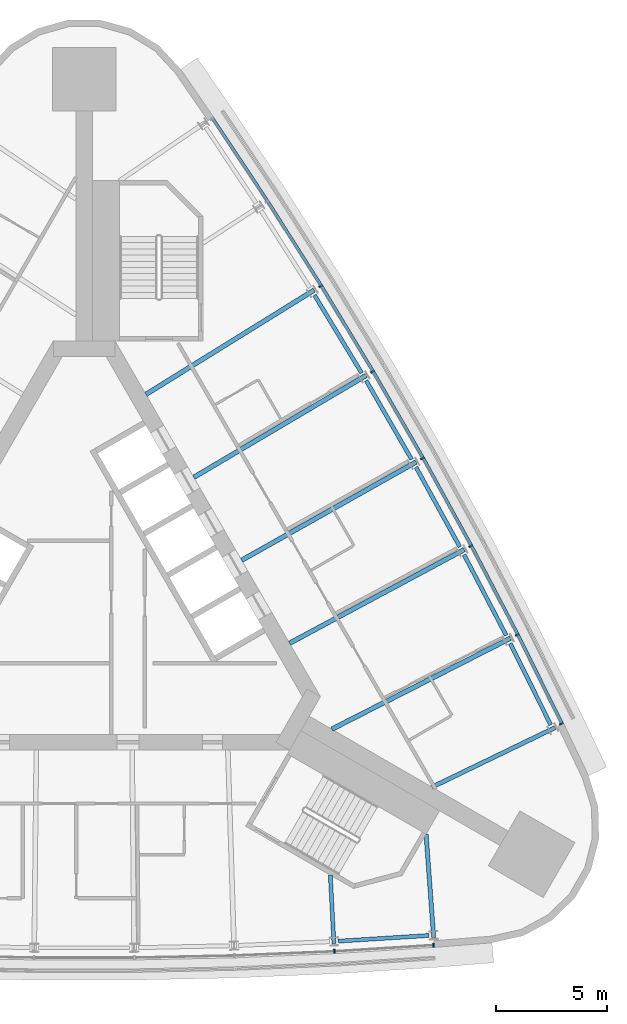
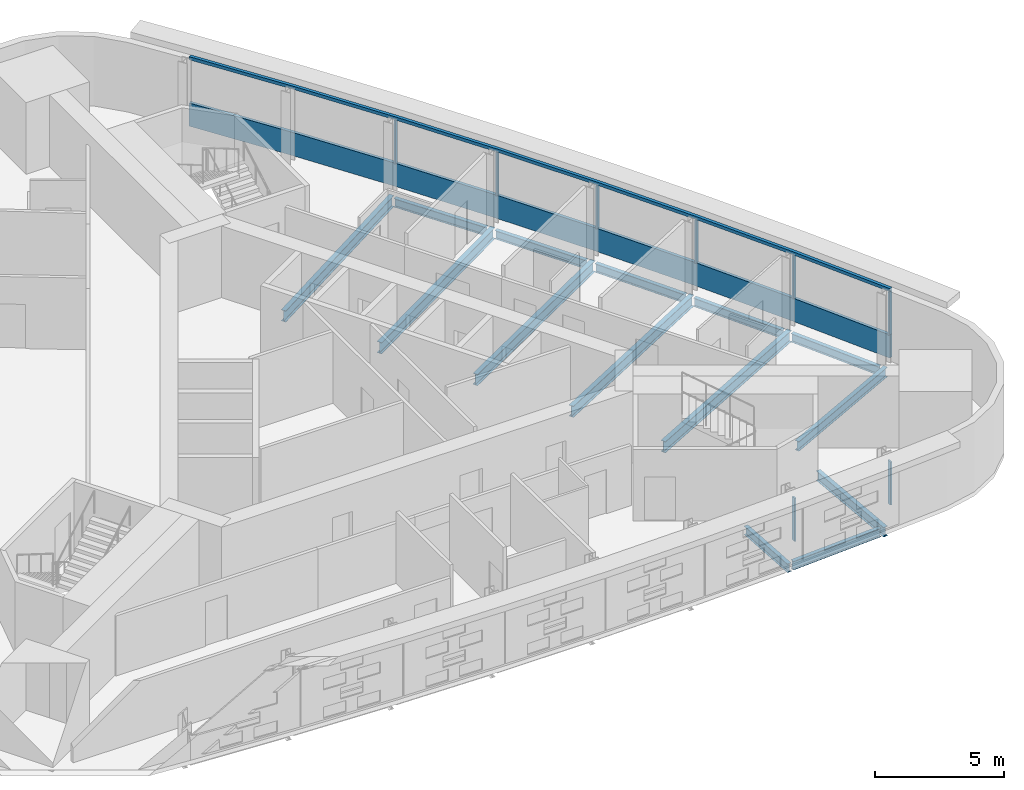
# One storey, part 5 of 12: 14 beams, 10 members, 2 elements without a shape of their own.
"""IFC4 building model written with IfcOpenShell, lengths in metres."""

from ifc_helpers import new_model, si_unit, direction, frame, origin, origin_2d, place, context, subcontext, project, spatial, polyline, rectangle, i_section, outline, extrude, material, material_profile, profile_set, type_object, element, aggregate, save


model = new_model("IFC4")

# Units and contexts
model_context = context("Model", 3, precision=1e-05, world=origin(), true_north=direction((0.0, 1.0)))
body_context = subcontext(model_context, "Body", "Model", "MODEL_VIEW")
ifc_project = project(units=[si_unit("LENGTHUNIT", "METRE"), si_unit("AREAUNIT", "SQUARE_METRE"), si_unit("VOLUMEUNIT", "CUBIC_METRE"), si_unit("PLANEANGLEUNIT", "RADIAN"), si_unit("MASSUNIT", "GRAM", prefix="KILO")], contexts=[model_context])

# Site, building, storey
site_placement = place(None, origin())
site = spatial("IfcSite", under=ifc_project, at=site_placement, CompositionType="ELEMENT")
building_placement = place(site_placement, origin())
building = spatial("IfcBuilding", under=site, at=building_placement, Name="Noor Cloister Tower", CompositionType="ELEMENT")
storey_placement = place(building_placement, frame((0.0, 0.0, 161.699951171875)))
storey = spatial("IfcBuildingStorey", under=building, at=storey_placement, Name="L41", CompositionType="ELEMENT", Elevation=161.699951171875)

# Curtain wall, member
ifc_material_1 = material(Name="Aluminium 6063-T6 anodised", Category="aluminium")
curtain_wall_type = type_object("IfcCurtainWallType", Name="Ribbon curtain wall, upper tower CW5", PredefinedType="NOTDEFINED", material=ifc_material_1)
curtain_wall_1_placement = place(storey_placement, origin())
curtain_wall_1 = element("IfcCurtainWall", 1, at=curtain_wall_1_placement, inside=storey, type_object=curtain_wall_type, Name="CW5 L41 NE run 3", PredefinedType="NOTDEFINED")
ifc_material_2 = material(Name="Aluminium 6063-T6 anodised", Category="aluminium")
member_type_1 = type_object("IfcMemberType", Name="Head transom CW5 150", PredefinedType="USERDEFINED", material=ifc_material_2)
member_1_placement = place(storey_placement, frame((0.0, 0.0, 3.150146484375)))
member_1 = element("IfcMember", 2, at=member_1_placement, type_object=member_type_1, Name="CW5 head transom", ObjectType="TRANSOM", PredefinedType="USERDEFINED", context=body_context, shape_type="SweptSolid", body=[
    extrude(outline(polyline([(21.54541015625, -5.73095703125), (19.544677734375, -1.7001953125), (17.4599609375, 2.28759765625), (15.2919921875, 6.23095703125), (13.0419921875, 10.1279296875), (10.7109375, 13.97705078125), (8.2998046875, 17.7763671875), (5.8095703125, 21.5244140625), (5.69287109375, 21.447021484375), (8.182373046875, 17.7001953125), (10.592041015625, 13.903076171875), (12.921630859375, 10.056640625), (15.170166015625, 6.162109375), (17.33642578125, 2.221435546875), (19.419921875, -1.763916015625), (21.420166015625, -5.793212890625), (21.54541015625, -5.73095703125)])), origin(), (0.0, 0.0, 1.0), 0.14990234375),
])

# Curtain wall, members
curtain_wall_2_placement = place(storey_placement, origin())
curtain_wall_2 = element("IfcCurtainWall", 3, at=curtain_wall_2_placement, inside=storey, type_object=curtain_wall_type, Name="CW5 L41 S run 2", PredefinedType="NOTDEFINED")
ifc_material_3 = material(Name="Aluminium 6063-T6 anodised", Category="aluminium")
ifc_material_profile_1 = material_profile(ifc_material_3, rectangle(XDim=0.179931640625, YDim=0.070068359375, at=origin_2d()), Name="180 x 70 mullion")
ifc_profile_set_1 = profile_set([ifc_material_profile_1], Name="Aluminium 6063-T6 anodised")
member_type_2 = type_object("IfcMemberType", Name="Mullion CW5 70 x 180", PredefinedType="MULLION", material=ifc_profile_set_1)
member_2_placement = place(storey_placement, frame((11.23974609375, -15.97607421875, 1.10009765625), z_axis=(0.0, 0.0, 1.0), x_axis=(-0.052341986805, 0.998629218688, 0.0)))
member_2 = element("IfcMember", 4, at=member_2_placement, type_object=member_type_2, Name="CW5 mullion 7", PredefinedType="MULLION", context=body_context, shape_type="SweptSolid", body=[
    extrude(rectangle(XDim=0.179931640625, YDim=0.070068359375, at=origin_2d()), origin(), (0.0, 0.0, 1.0), 2.050048828125),
])
member_3_placement = place(storey_placement, frame((15.694580078125, -15.69580078125, 1.10009765625), z_axis=(0.0, 0.0, 1.0), x_axis=(-0.062797748351, 0.998026273603, 0.0)))
member_3 = element("IfcMember", 5, at=member_3_placement, type_object=member_type_2, Name="CW5 mullion 8", PredefinedType="MULLION", context=body_context, shape_type="SweptSolid", body=[
    extrude(rectangle(XDim=0.179931640625, YDim=0.070068359375, at=origin_2d()), origin(), (0.0, 0.0, 1.0), 2.050048828125),
])
aggregate(curtain_wall_2, [member_2, member_3])

# Member
member_4_placement = place(storey_placement, frame((21.4404296875, -5.744140625, 1.10009765625), z_axis=(0.0, 0.0, 1.0), x_axis=(-0.89571498076, -0.444628691429, 0.0)))
member_4 = element("IfcMember", 6, at=member_4_placement, type_object=member_type_2, Name="CW5 mullion 1", PredefinedType="MULLION", context=body_context, shape_type="SweptSolid", body=[
    extrude(rectangle(XDim=0.179931640625, YDim=0.070068359375, at=origin_2d()), origin(), (0.0, 0.0, 1.0), 2.050048828125),
])

member_5_placement = place(storey_placement, frame((19.45556640625, -1.74560546875, 1.10009765625), z_axis=(0.0, 0.0, 1.0), x_axis=(-0.891009265748, -0.453985119086, 0.0)))
member_5 = element("IfcMember", 7, at=member_5_placement, type_object=member_type_2, Name="CW5 mullion 2", PredefinedType="MULLION", context=body_context, shape_type="SweptSolid", body=[
    extrude(rectangle(XDim=0.179931640625, YDim=0.070068359375, at=origin_2d()), origin(), (0.0, 0.0, 1.0), 2.050048828125),
])

member_6_placement = place(storey_placement, frame((17.371826171875, 2.240234375, 1.10009765625), z_axis=(0.0, 0.0, 1.0), x_axis=(-0.881305167553, -0.472547565483, 0.0)))
member_6 = element("IfcMember", 8, at=member_6_placement, type_object=member_type_2, Name="CW5 mullion 3", PredefinedType="MULLION", context=body_context, shape_type="SweptSolid", body=[
    extrude(rectangle(XDim=0.179931640625, YDim=0.070068359375, at=origin_2d()), origin(), (0.0, 0.0, 1.0), 2.050048828125),
])

member_7_placement = place(storey_placement, frame((15.204833984375, 6.181640625, 1.10009765625), z_axis=(0.0, 0.0, 1.0), x_axis=(-0.871214402304, -0.490902704432, 0.0)))
member_7 = element("IfcMember", 9, at=member_7_placement, type_object=member_type_2, Name="CW5 mullion 4", PredefinedType="MULLION", context=body_context, shape_type="SweptSolid", body=[
    extrude(rectangle(XDim=0.179931640625, YDim=0.070068359375, at=origin_2d()), origin(), (0.0, 0.0, 1.0), 2.050048828125),
])

member_8_placement = place(storey_placement, frame((12.9560546875, 10.076904296875, 1.10009765625), z_axis=(0.0, 0.0, 1.0), x_axis=(-0.860741413976, -0.509042452322, 0.0)))
member_8 = element("IfcMember", 10, at=member_8_placement, type_object=member_type_2, Name="CW5 mullion 5", PredefinedType="MULLION", context=body_context, shape_type="SweptSolid", body=[
    extrude(rectangle(XDim=0.179931640625, YDim=0.070068359375, at=origin_2d()), origin(), (0.0, 0.0, 1.0), 2.050048828125),
])

member_9_placement = place(storey_placement, frame((10.6259765625, 13.92431640625, 1.10009765625), z_axis=(0.0, 0.0, 1.0), x_axis=(-0.849890779982, -0.526958880846, 0.0)))
member_9 = element("IfcMember", 11, at=member_9_placement, type_object=member_type_2, Name="CW5 mullion 6", PredefinedType="MULLION", context=body_context, shape_type="SweptSolid", body=[
    extrude(rectangle(XDim=0.179931640625, YDim=0.070068359375, at=origin_2d()), origin(), (0.0, 0.0, 1.0), 2.050048828125),
])

# Beams
ifc_material_4 = material(Name="Steel ASTM A992 Gr 50", Category="steel")
ifc_material_profile_2 = material_profile(ifc_material_4, i_section(OverallWidth=0.177978515625, OverallDepth=0.406005859375, WebThickness=0.0078125, FlangeThickness=0.0126953125, FilletRadius=0.01025390625, at=origin_2d()), Name="W410x60")
ifc_profile_set_2 = profile_set([ifc_material_profile_2], Name="Steel ASTM A992 Gr 50")
beam_type_1 = type_object("IfcBeamType", Name="Radial beam W410x60", PredefinedType="BEAM", material=ifc_profile_set_2)
beam_1_placement = place(storey_placement, frame((11.2216796875, -15.633544921875, -0.40283203125), z_axis=(-0.052359869549, 0.998628281224, 0.0), x_axis=(-0.998628281224, -0.052359869549, 0.0)))
element("IfcBeam", 12, at=beam_1_placement, inside=storey, type_object=beam_type_1, Name="Radial beam S 07 L41", PredefinedType="BEAM", context=body_context, shape_type="SweptSolid", body=[
    extrude(i_section(OverallWidth=0.177978515625, OverallDepth=0.406005859375, WebThickness=0.0078125, FlangeThickness=0.0126953125, FilletRadius=0.01025390625, at=origin_2d()), origin(), (0.0, 0.0, 1.0), 3.09130859375),
])
ifc_material_5 = material(Name="Steel ASTM A992 Gr 50", Category="steel")
ifc_material_profile_3 = material_profile(ifc_material_5, i_section(OverallWidth=0.19091796875, OverallDepth=0.45703125, WebThickness=0.009033203125, FlangeThickness=0.014404296875, FilletRadius=0.01025390625, at=origin_2d()), Name="W460x74")
ifc_profile_set_3 = profile_set([ifc_material_profile_3], Name="Steel ASTM A992 Gr 50")
beam_type_2 = type_object("IfcBeamType", Name="Radial beam W460x74", PredefinedType="BEAM", material=ifc_profile_set_3)
beam_2_placement = place(storey_placement, frame((15.703369140625, -15.3515625, -0.428466796875), z_axis=(-0.073254033164, 0.997313314172, 0.0), x_axis=(-0.997313314172, -0.073254033164, 0.0)))
element("IfcBeam", 13, at=beam_2_placement, inside=storey, type_object=beam_type_2, Name="Radial beam S 08 L41", PredefinedType="BEAM", context=body_context, shape_type="SweptSolid", body=[
    extrude(i_section(OverallWidth=0.19091796875, OverallDepth=0.45703125, WebThickness=0.009033203125, FlangeThickness=0.014404296875, FilletRadius=0.01025390625, at=origin_2d()), origin(), (0.0, 0.0, 1.0), 4.6591796875),
])
beam_3_placement = place(storey_placement, frame((21.146728515625, -5.923828125, -0.428466796875), z_axis=(-0.900323455308, -0.435221410115, 0.0), x_axis=(0.435221410115, -0.900323455308, 0.0)))
element("IfcBeam", 14, at=beam_3_placement, inside=storey, type_object=beam_type_2, Name="Radial beam NE 01 L41", PredefinedType="BEAM", context=body_context, shape_type="SweptSolid", body=[
    extrude(i_section(OverallWidth=0.19091796875, OverallDepth=0.45703125, WebThickness=0.009033203125, FlangeThickness=0.014404296875, FilletRadius=0.01025390625, at=origin_2d()), origin(), (0.0, 0.0, 1.0), 6.1279296875),
])
ifc_material_6 = material(Name="Steel ASTM A992 Gr 50", Category="steel")
ifc_material_profile_4 = material_profile(ifc_material_6, i_section(OverallWidth=0.208984375, OverallDepth=0.532958984375, WebThickness=0.01025390625, FlangeThickness=0.015625, FilletRadius=0.0126953125, at=origin_2d()), Name="W530x92")
ifc_profile_set_4 = profile_set([ifc_material_profile_4], Name="Steel ASTM A992 Gr 50")
beam_type_3 = type_object("IfcBeamType", Name="Radial beam W530x92", PredefinedType="BEAM", material=ifc_profile_set_4)
beam_4_placement = place(storey_placement, frame((19.14990234375, -1.9013671875, -0.466552734375), z_axis=(-0.891002050303, -0.453999280127, 0.0), x_axis=(0.453999280127, -0.891002050303, 0.0)))
element("IfcBeam", 15, at=beam_4_placement, inside=storey, type_object=beam_type_3, Name="Radial beam NE 02 L41", PredefinedType="BEAM", context=body_context, shape_type="SweptSolid", body=[
    extrude(i_section(OverallWidth=0.208984375, OverallDepth=0.532958984375, WebThickness=0.01025390625, FlangeThickness=0.015625, FilletRadius=0.0126953125, at=origin_2d()), origin(), (0.0, 0.0, 1.0), 9.00634765625),
])
beam_5_placement = place(storey_placement, frame((17.069580078125, 2.078125, -0.466552734375), z_axis=(-0.881310226852, -0.472538129727, 0.0), x_axis=(0.472538129727, -0.881310226852, 0.0)))
element("IfcBeam", 16, at=beam_5_placement, inside=storey, type_object=beam_type_3, Name="Radial beam NE 03 L41", PredefinedType="BEAM", context=body_context, shape_type="SweptSolid", body=[
    extrude(i_section(OverallWidth=0.208984375, OverallDepth=0.532958984375, WebThickness=0.01025390625, FlangeThickness=0.015625, FilletRadius=0.0126953125, at=origin_2d()), origin(), (0.0, 0.0, 1.0), 8.89794921875),
])
for number, where, z_axis, x_axis, name in (
    (17, (14.906005859375, 6.013427734375, -0.466552734375), (-0.871204595241, -0.490920108808, 0.0), (0.490920108808, -0.871204595241, 0.0), "Radial beam NE 04 L41"),
    (18, (12.660888671875, 9.90234375, -0.466552734375), (-0.860751813994, -0.509024866491, 0.0), (0.509024866491, -0.860751813994, 0.0), "Radial beam NE 05 L41"),
):
    element("IfcBeam", number, at=place(storey_placement, frame(where, z_axis=z_axis, x_axis=x_axis)), inside=storey, type_object=beam_type_3, Name=name, PredefinedType="BEAM", context=body_context, shape_type="SweptSolid", body=[
        extrude(i_section(OverallWidth=0.208984375, OverallDepth=0.532958984375, WebThickness=0.01025390625, FlangeThickness=0.015625, FilletRadius=0.0126953125, at=origin_2d()), origin(), (0.0, 0.0, 1.0), 8.988037109375),
    ])
beam_6_placement = place(storey_placement, frame((10.33447265625, 13.743408203125, -0.466552734375), z_axis=(-0.849896547603, -0.526949578586, 0.0), x_axis=(0.526949578586, -0.849896547603, 0.0)))
element("IfcBeam", 19, at=beam_6_placement, inside=storey, type_object=beam_type_3, Name="Radial beam NE 06 L41", PredefinedType="BEAM", context=body_context, shape_type="SweptSolid", body=[
    extrude(i_section(OverallWidth=0.208984375, OverallDepth=0.532958984375, WebThickness=0.01025390625, FlangeThickness=0.015625, FilletRadius=0.0126953125, at=origin_2d()), origin(), (0.0, 0.0, 1.0), 8.89794921875),
])

# Member
ifc_material_7 = material(Name="Aluminium 6063-T6 anodised", Category="aluminium")
member_type_3 = type_object("IfcMemberType", Name="Sill transom CW5 1100", PredefinedType="USERDEFINED", material=ifc_material_7)
member_10_placement = place(storey_placement, origin())
member_10 = element("IfcMember", 20, at=member_10_placement, type_object=member_type_3, Name="CW5 sill transom", ObjectType="TRANSOM", PredefinedType="USERDEFINED", context=body_context, shape_type="SweptSolid", body=[
    extrude(outline(polyline([(21.54541015625, -5.73095703125), (19.544677734375, -1.7001953125), (17.4599609375, 2.28759765625), (15.2919921875, 6.23095703125), (13.0419921875, 10.1279296875), (10.7109375, 13.97705078125), (8.2998046875, 17.7763671875), (5.8095703125, 21.5244140625), (5.69287109375, 21.447021484375), (8.182373046875, 17.7001953125), (10.592041015625, 13.903076171875), (12.921630859375, 10.056640625), (15.170166015625, 6.162109375), (17.33642578125, 2.221435546875), (19.419921875, -1.763916015625), (21.420166015625, -5.793212890625), (21.54541015625, -5.73095703125)])), origin(), (0.0, 0.0, 1.0), 1.10009765625),
])

aggregate(curtain_wall_1, [member_4, member_5, member_6, member_7, member_8, member_9, member_10, member_1])

# Beams
ifc_material_8 = material(Name="Steel ASTM A992 Gr 50", Category="steel")
ifc_material_profile_5 = material_profile(ifc_material_8, i_section(OverallWidth=0.177978515625, OverallDepth=0.406005859375, WebThickness=0.0078125, FlangeThickness=0.0126953125, FilletRadius=0.01025390625, at=origin_2d()), Name="W410x60")
ifc_profile_set_5 = profile_set([ifc_material_profile_5], Name="Steel ASTM A992 Gr 50")
beam_type_4 = type_object("IfcBeamType", Name="Spandrel beam W410x60", PredefinedType="SPANDREL", material=ifc_profile_set_5)
beam_7_placement = place(storey_placement, frame((11.415283203125, -15.51416015625, -0.40283203125), z_axis=(0.998029512808, 0.06274624741, 0.0), x_axis=(-0.06274624741, 0.998029512808, 0.0)))
element("IfcBeam", 21, at=beam_7_placement, inside=storey, type_object=beam_type_4, Name="Spandrel beam S 07 L41", PredefinedType="SPANDREL", context=body_context, shape_type="SweptSolid", body=[
    extrude(i_section(OverallWidth=0.177978515625, OverallDepth=0.406005859375, WebThickness=0.0078125, FlangeThickness=0.0126953125, FilletRadius=0.01025390625, at=origin_2d()), origin(), (0.0, 0.0, 1.0), 4.08935546875),
])
beam_8_placement = place(storey_placement, frame((20.961669921875, -5.791748046875, -0.40283203125), z_axis=(-0.444632770879, 0.895712955729, 0.0), x_axis=(-0.895712955729, -0.444632770879, 0.0)))
element("IfcBeam", 22, at=beam_8_placement, inside=storey, type_object=beam_type_4, Name="Spandrel beam NE 01 L41", PredefinedType="SPANDREL", context=body_context, shape_type="SweptSolid", body=[
    extrude(i_section(OverallWidth=0.177978515625, OverallDepth=0.406005859375, WebThickness=0.0078125, FlangeThickness=0.0126953125, FilletRadius=0.01025390625, at=origin_2d()), origin(), (0.0, 0.0, 1.0), 4.089599609375),
])
beam_9_placement = place(storey_placement, frame((18.962158203125, -1.773193359375, -0.40283203125), z_axis=(-0.463284047748, 0.886209845975, 0.0), x_axis=(-0.886209845975, -0.463284047748, 0.0)))
element("IfcBeam", 23, at=beam_9_placement, inside=storey, type_object=beam_type_4, Name="Spandrel beam NE 02 L41", PredefinedType="SPANDREL", context=body_context, shape_type="SweptSolid", body=[
    extrude(i_section(OverallWidth=0.177978515625, OverallDepth=0.406005859375, WebThickness=0.0078125, FlangeThickness=0.0126953125, FilletRadius=0.01025390625, at=origin_2d()), origin(), (0.0, 0.0, 1.0), 4.08935546875),
])
beam_10_placement = place(storey_placement, frame((16.879150390625, 2.202392578125, -0.40283203125), z_axis=(-0.48176061744, 0.876302862875, 0.0), x_axis=(-0.876302862875, -0.48176061744, 0.0)))
element("IfcBeam", 24, at=beam_10_placement, inside=storey, type_object=beam_type_4, Name="Spandrel beam NE 03 L41", PredefinedType="SPANDREL", context=body_context, shape_type="SweptSolid", body=[
    extrude(i_section(OverallWidth=0.177978515625, OverallDepth=0.406005859375, WebThickness=0.0078125, FlangeThickness=0.0126953125, FilletRadius=0.01025390625, at=origin_2d()), origin(), (0.0, 0.0, 1.0), 4.089599609375),
])
beam_11_placement = place(storey_placement, frame((14.713134765625, 6.133544921875, -0.40283203125), z_axis=(-0.499998074415, 0.866026515518, 0.0), x_axis=(-0.866026515518, -0.499998074415, 0.0)))
element("IfcBeam", 25, at=beam_11_placement, inside=storey, type_object=beam_type_4, Name="Spandrel beam NE 04 L41", PredefinedType="SPANDREL", context=body_context, shape_type="SweptSolid", body=[
    extrude(i_section(OverallWidth=0.177978515625, OverallDepth=0.406005859375, WebThickness=0.0078125, FlangeThickness=0.0126953125, FilletRadius=0.01025390625, at=origin_2d()), origin(), (0.0, 0.0, 1.0), 4.08935546875),
])
beam_12_placement = place(storey_placement, frame((12.46533203125, 10.0185546875, -0.40283203125), z_axis=(-0.518011929621, 0.855373392602, 0.0), x_axis=(-0.855373392602, -0.518011929621, 0.0)))
element("IfcBeam", 26, at=beam_12_placement, inside=storey, type_object=beam_type_4, Name="Spandrel beam NE 05 L41", PredefinedType="SPANDREL", context=body_context, shape_type="SweptSolid", body=[
    extrude(i_section(OverallWidth=0.177978515625, OverallDepth=0.406005859375, WebThickness=0.0078125, FlangeThickness=0.0126953125, FilletRadius=0.01025390625, at=origin_2d()), origin(), (0.0, 0.0, 1.0), 4.089599609375),
])

save(model, "model.ifc")
